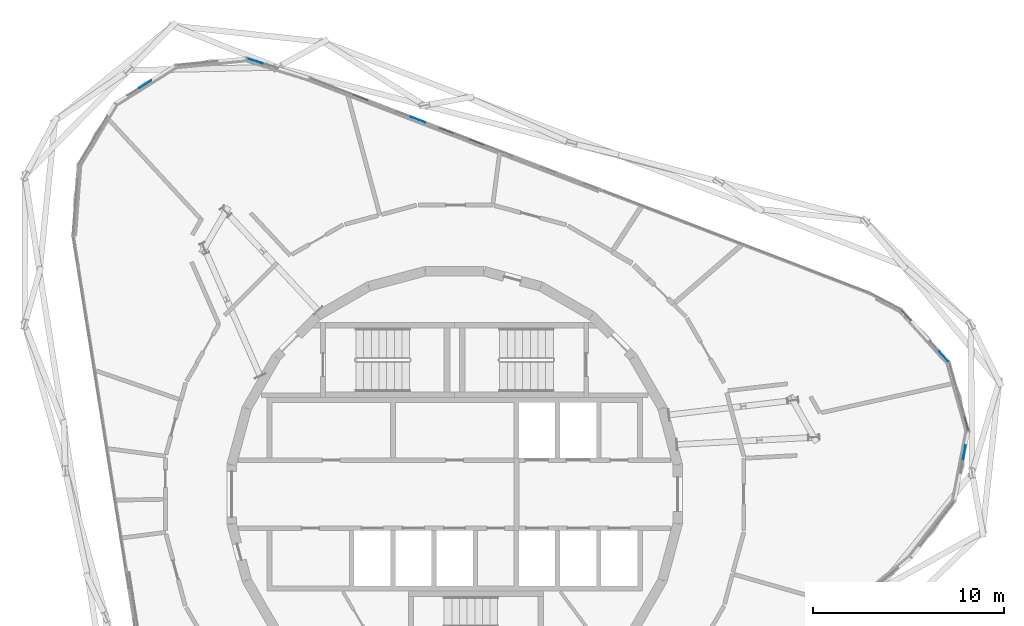
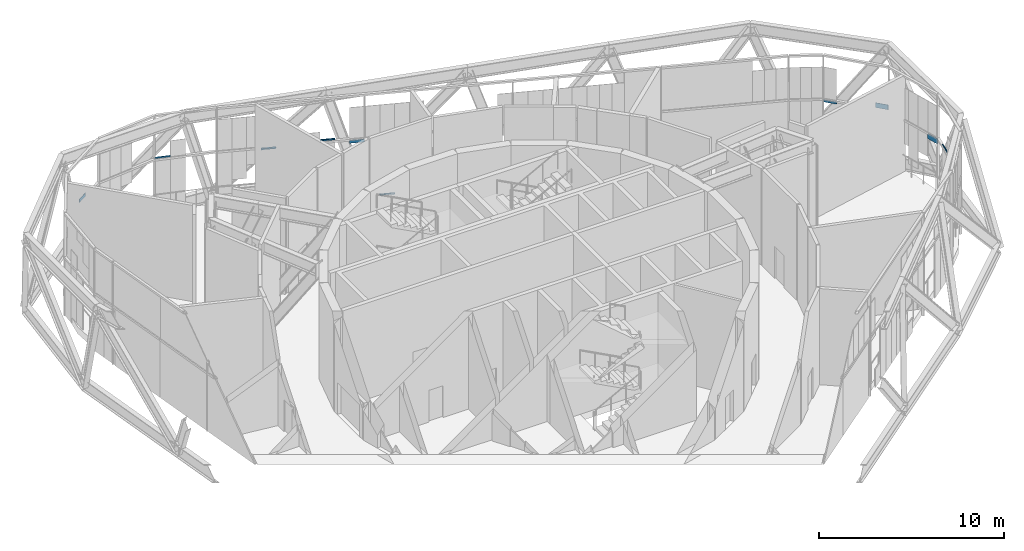
# One storey, part 18 of 25: 10 plates, 3 elements without a shape of their own.
"""IFC4 building model written with IfcOpenShell, lengths in metres."""

from ifc_helpers import new_model, si_unit, direction, frame, origin, origin_2d, place, context, subcontext, project, spatial, rectangle, extrude, material, layer, layer_set, type_object, element, aggregate, save


model = new_model("IFC4")

# Units and contexts
model_context = context("Model", 3, precision=1e-05, world=origin(), true_north=direction((0.0, 1.0)))
body_context = subcontext(model_context, "Body", "Model", "MODEL_VIEW")
ifc_project = project(units=[si_unit("LENGTHUNIT", "METRE"), si_unit("AREAUNIT", "SQUARE_METRE"), si_unit("VOLUMEUNIT", "CUBIC_METRE"), si_unit("PLANEANGLEUNIT", "RADIAN"), si_unit("MASSUNIT", "GRAM", prefix="KILO")], contexts=[model_context])

# Site, building, storey
site_placement = place(None, origin())
site = spatial("IfcSite", under=ifc_project, at=site_placement, CompositionType="ELEMENT")
building_placement = place(site_placement, origin())
building = spatial("IfcBuilding", under=site, at=building_placement, Name="Spindle Arch Residences", CompositionType="ELEMENT")
storey_placement = place(building_placement, frame((0.0, 0.0, 291.39990234375)))
storey = spatial("IfcBuildingStorey", under=building, at=storey_placement, Name="L75", CompositionType="ELEMENT", Elevation=291.39990234375)

# Curtain wall, plates
ifc_material_1 = material(Name="Aluminium bronze unitised frame with tinted glass", Category="aluminium")
ifc_layer_1 = layer(ifc_material_1, 0.159912109375)
ifc_layer_set_1 = layer_set([ifc_layer_1], Name="CW-E double-height winter garden wall")
curtain_wall_type = type_object("IfcCurtainWallType", Name="CW-E double-height winter garden wall", PredefinedType="NOTDEFINED", material=ifc_layer_set_1)
curtain_wall_1_placement = place(storey_placement, origin())
curtain_wall_1 = element("IfcCurtainWall", 1, at=curtain_wall_1_placement, inside=storey, type_object=curtain_wall_type, Name="CW-E L75 run 1", PredefinedType="NOTDEFINED")
ifc_material_2 = material(Name="Tinted laminated glass 28 mm", Category="glass")
ifc_layer_2 = layer(ifc_material_2, 0.028076171875)
ifc_layer_set_2 = layer_set([ifc_layer_2], Name="Tinted glass panel 28 mm")
plate_type_1 = type_object("IfcPlateType", Name="Tinted glass panel 28 mm", PredefinedType="CURTAIN_PANEL", material=ifc_layer_set_2)
plate_1_placement = place(storey_placement, frame((26.616943359375, 2.19091796875, 3.460205078125), z_axis=(0.0, 0.0, 1.0), x_axis=(0.190808994811, 0.981627183558, 0.0)))
plate_1 = element("IfcPlate", 2, at=plate_1_placement, type_object=plate_type_1, Name="CW-E panel 02b.2", PredefinedType="CURTAIN_PANEL", context=body_context, shape_type="SweptSolid", body=[
    extrude(rectangle(XDim=0.7333984375, YDim=0.028076171875, at=origin_2d()), origin(), (0.0, 0.0, 1.0), 0.06591796875),
])
plate_2_placement = place(storey_placement, frame((25.55908203125, 7.181640625, 3.4599609375), z_axis=(0.0, 0.0, 1.0), x_axis=(-0.673442702134, 0.73923942464, 0.0)))
plate_2 = element("IfcPlate", 3, at=plate_2_placement, type_object=plate_type_1, Name="CW-E panel 04b.1", PredefinedType="CURTAIN_PANEL", context=body_context, shape_type="SweptSolid", body=[
    extrude(rectangle(XDim=0.7333984375, YDim=0.028076171875, at=origin_2d()), origin(), (0.0, 0.0, 1.0), 0.316650390625),
])

# Curtain wall, plate
curtain_wall_2_placement = place(storey_placement, origin())
curtain_wall_2 = element("IfcCurtainWall", 4, at=curtain_wall_2_placement, inside=storey, type_object=curtain_wall_type, Name="CW-E L75 run 2", PredefinedType="NOTDEFINED")
plate_3_placement = place(storey_placement, frame((-1.9150390625, 19.562255859375, 3.4599609375), z_axis=(0.0, 0.0, 1.0), x_axis=(-0.933580426497, 0.358367949545, 0.0)))
plate_3 = element("IfcPlate", 5, at=plate_3_placement, type_object=plate_type_1, Name="CW-E panel 07Ab.2", PredefinedType="CURTAIN_PANEL", context=body_context, shape_type="SweptSolid", body=[
    extrude(rectangle(XDim=0.8046875, YDim=0.028076171875, at=origin_2d()), origin(), (0.0, 0.0, 1.0), 0.099853515625),
])

# Curtain wall, plates
curtain_wall_3_placement = place(storey_placement, origin())
curtain_wall_3 = element("IfcCurtainWall", 6, at=curtain_wall_3_placement, inside=storey, type_object=curtain_wall_type, Name="CW-E L75 run 3", PredefinedType="NOTDEFINED")
plate_4_placement = place(storey_placement, frame((-10.441162109375, 22.632568359375, 3.460205078125), z_axis=(0.0, 0.0, 1.0), x_axis=(-0.954314920262, 0.298802665594, 0.0)))
plate_4 = element("IfcPlate", 7, at=plate_4_placement, type_object=plate_type_1, Name="CW-E panel 00b.2", PredefinedType="CURTAIN_PANEL", context=body_context, shape_type="SweptSolid", body=[
    extrude(rectangle(XDim=0.8486328125, YDim=0.028076171875, at=origin_2d()), origin(), (0.0, 0.0, 1.0), 0.06640625),
])
plate_5_placement = place(storey_placement, frame((-16.157958984375, 21.403564453125, 3.460205078125), z_axis=(0.0, 0.0, 1.0), x_axis=(-0.844950814707, -0.534844015322, 0.0)))
plate_5 = element("IfcPlate", 8, at=plate_5_placement, type_object=plate_type_1, Name="CW-E panel 02b.1", PredefinedType="CURTAIN_PANEL", context=body_context, shape_type="SweptSolid", body=[
    extrude(rectangle(XDim=0.7333984375, YDim=0.028076171875, at=origin_2d()), origin(), (0.0, 0.0, 1.0), 0.2060546875),
])
aggregate(curtain_wall_3, [plate_4, plate_5])

# Plate
ifc_material_3 = material(Name="Tinted double glazing over aluminium faced non-combustible spandrel zone (K0)", Category="aluminium")
ifc_layer_3 = layer(ifc_material_3, 0.06005859375)
ifc_layer_set_3 = layer_set([ifc_layer_3], Name="Unitised glass panel with E 60 spandrel zone")
plate_type_2 = type_object("IfcPlateType", Name="Unitised glass panel with E 60 spandrel zone", PredefinedType="CURTAIN_PANEL", material=ifc_layer_set_3)
plate_6_placement = place(storey_placement, frame((26.7255859375, 3.68212890625, 3.0263671875), z_axis=(0.0, 0.0, 1.0), x_axis=(-0.270040328007, 0.962849012696, 0.0)))
plate_6 = element("IfcPlate", 9, at=plate_6_placement, type_object=plate_type_2, Name="CW-E panel 03a.1", PredefinedType="CURTAIN_PANEL", context=body_context, shape_type="SweptSolid", body=[
    extrude(rectangle(XDim=0.7333984375, YDim=0.06005859375, at=origin_2d()), origin(), (0.0, 0.0, 1.0), 0.313720703125),
])

plate_7_placement = place(storey_placement, frame((23.583740234375, 9.35009765625, 3.21728515625), z_axis=(0.0, 0.0, 1.0), x_axis=(-0.673442702134, 0.73923942464, 0.0)))
plate_7 = element("IfcPlate", 10, at=plate_7_placement, type_object=plate_type_2, Name="CW-E panel 04a.3", PredefinedType="CURTAIN_PANEL", context=body_context, shape_type="SweptSolid", body=[
    extrude(rectangle(XDim=0.7333984375, YDim=0.06005859375, at=origin_2d()), origin(), (0.0, 0.0, 1.0), 0.122802734375),
])

aggregate(curtain_wall_1, [plate_1, plate_6, plate_7, plate_2])

plate_8_placement = place(storey_placement, frame((1.146240234375, 18.386962890625, -0.449951171875), z_axis=(0.0, 0.0, 1.0), x_axis=(-0.933580426497, 0.358367949545, 0.0)))
plate_8 = element("IfcPlate", 11, at=plate_8_placement, type_object=plate_type_2, Name="CW-E panel 06Ba.5", PredefinedType="CURTAIN_PANEL", context=body_context, shape_type="SweptSolid", body=[
    extrude(rectangle(XDim=0.8046875, YDim=0.06005859375, at=origin_2d()), origin(), (0.0, 0.0, 1.0), 0.052734375),
])

plate_9_placement = place(storey_placement, frame((-0.412353515625, 18.9853515625, 3.161376953125), z_axis=(0.0, 0.0, 1.0), x_axis=(-0.933580426497, 0.358367949545, 0.0)))
plate_9 = element("IfcPlate", 12, at=plate_9_placement, type_object=plate_type_2, Name="CW-E panel 07Aa.1", PredefinedType="CURTAIN_PANEL", context=body_context, shape_type="SweptSolid", body=[
    extrude(rectangle(XDim=0.8046875, YDim=0.06005859375, at=origin_2d()), origin(), (0.0, 0.0, 1.0), 0.1787109375),
])

plate_10_placement = place(storey_placement, frame((-4.920166015625, 20.7158203125, 3.2509765625), z_axis=(0.0, 0.0, 1.0), x_axis=(-0.933580426497, 0.358367949545, 0.0)))
plate_10 = element("IfcPlate", 13, at=plate_10_placement, type_object=plate_type_2, Name="CW-E panel 07Ba.3", PredefinedType="CURTAIN_PANEL", context=body_context, shape_type="SweptSolid", body=[
    extrude(rectangle(XDim=0.8046875, YDim=0.06005859375, at=origin_2d()), origin(), (0.0, 0.0, 1.0), 0.089111328125),
])

aggregate(curtain_wall_2, [plate_8, plate_9, plate_3, plate_10])

save(model, "model.ifc")
